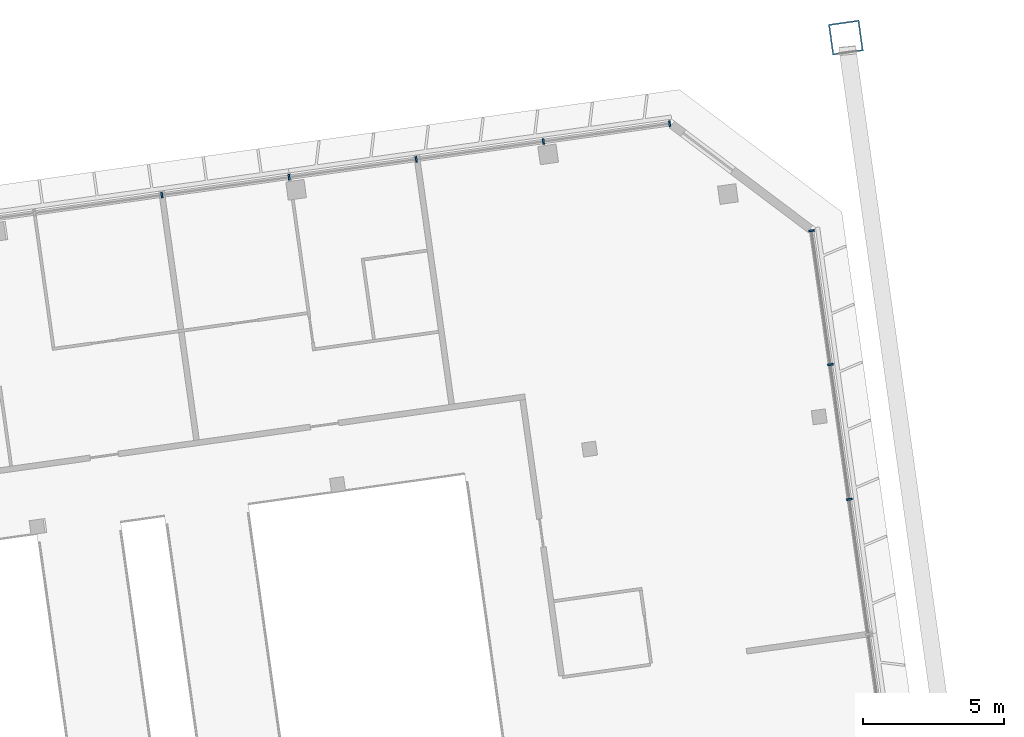
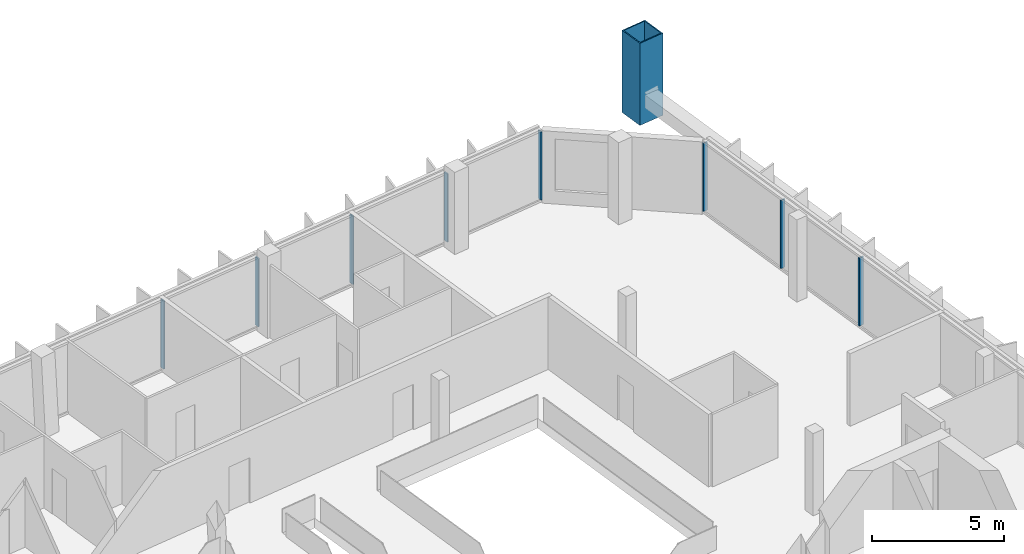
# One storey, part 13 of 26: 9 members, 2 elements without a shape of their own.
"""IFC4 building model written with IfcOpenShell, lengths in metres."""

from ifc_helpers import new_model, si_unit, direction, frame, origin, origin_2d, place, context, subcontext, project, spatial, rectangle, hollow_rectangle, extrude, material, material_profile, profile_set, type_object, element, aggregate, save


model = new_model("IFC4")

# Units and contexts
model_context = context("Model", 3, precision=1e-05, world=origin(), true_north=direction((0.0, 1.0)))
body_context = subcontext(model_context, "Body", "Model", "MODEL_VIEW")
ifc_project = project(units=[si_unit("LENGTHUNIT", "METRE"), si_unit("AREAUNIT", "SQUARE_METRE"), si_unit("VOLUMEUNIT", "CUBIC_METRE"), si_unit("PLANEANGLEUNIT", "RADIAN"), si_unit("MASSUNIT", "GRAM", prefix="KILO")], contexts=[model_context])

# Site, building, storey
site_placement = place(None, origin())
site = spatial("IfcSite", under=ifc_project, at=site_placement, CompositionType="ELEMENT")
building_placement = place(site_placement, origin())
building = spatial("IfcBuilding", under=site, at=building_placement, Name="Mirante Cascada Hotel Towers", CompositionType="ELEMENT")
storey_placement = place(building_placement, frame((0.0, 0.0, 216.6)))
storey = spatial("IfcBuildingStorey", under=building, at=storey_placement, Name="L51", CompositionType="ELEMENT", Elevation=216.6)

# Member
ifc_material_1 = material(Name="Steel ASTM A572 Gr 50", Category="steel")
ifc_material_profile_1 = material_profile(ifc_material_1, hollow_rectangle(XDim=1.1, YDim=1.1, WallThickness=0.05, at=origin_2d()), Name="Box post 1100x1100x50 ASTM A572 Gr 50")
ifc_profile_set_1 = profile_set([ifc_material_profile_1], Name="Steel ASTM A572 Gr 50")
member_type_1 = type_object("IfcMemberType", Name="Box post 1100x1100x50 ASTM A572 Gr 50", PredefinedType="POST", material=ifc_profile_set_1)
member_1_placement = place(storey_placement, frame((73.62, 25.3368, 0.0), z_axis=(0.0, 0.0, 1.0), x_axis=(0.9902681, 0.1391731, 0.0)))
element("IfcMember", 1, at=member_1_placement, inside=storey, type_object=member_type_1, Name="Mega column MP3 T2 L51", PredefinedType="POST", context=body_context, shape_type="SweptSolid", body=[
    extrude(hollow_rectangle(XDim=1.1, YDim=1.1, WallThickness=0.05, at=origin_2d()), origin(), (0.0, 0.0, 1.0), 3.8),
])

# Curtain wall, members
ifc_material_2 = material(Name="Aluminium mullion and transom frame with clear laminated glass", Category="aluminium")
curtain_wall_type_1 = type_object("IfcCurtainWallType", Name="Ribbon curtain wall ECW1", PredefinedType="NOTDEFINED", material=ifc_material_2)
curtain_wall_1_placement = place(storey_placement, origin())
curtain_wall_1 = element("IfcCurtainWall", 2, at=curtain_wall_1_placement, inside=storey, type_object=curtain_wall_type_1, Name="Front ribbon wall T2 L51", PredefinedType="NOTDEFINED")
ifc_material_3 = material(Name="Anodised aluminium extrusion", Category="aluminium")
ifc_material_profile_2 = material_profile(ifc_material_3, rectangle(XDim=0.2, YDim=0.065, at=origin_2d()), Name="ECW1 MULLION 65x200")
ifc_profile_set_2 = profile_set([ifc_material_profile_2], Name="Anodised aluminium extrusion")
member_type_2 = type_object("IfcMemberType", Name="ECW1 mullion 65x200", PredefinedType="MULLION", material=ifc_profile_set_2)
member_2_placement = place(storey_placement, frame((67.3887, 22.2899, 0.1), z_axis=(0.0, 0.0, 1.0), x_axis=(0.1391731, -0.9902681, 0.0)))
member_2 = element("IfcMember", 3, at=member_2_placement, type_object=member_type_2, Name="ECW1 mullion 1", PredefinedType="MULLION", context=body_context, shape_type="SweptSolid", body=[
    extrude(rectangle(XDim=0.2, YDim=0.065, at=origin_2d()), origin(), (0.0, 0.0, 1.0), 3.15),
])
member_3_placement = place(storey_placement, frame((62.9239, 21.6624, 0.1), z_axis=(0.0, 0.0, 1.0), x_axis=(0.1391731, -0.9902681, 0.0)))
member_3 = element("IfcMember", 4, at=member_3_placement, type_object=member_type_2, Name="ECW1 mullion 2", PredefinedType="MULLION", context=body_context, shape_type="SweptSolid", body=[
    extrude(rectangle(XDim=0.2, YDim=0.065, at=origin_2d()), origin(), (0.0, 0.0, 1.0), 3.15),
])
member_4_placement = place(storey_placement, frame((58.4268, 21.0304, 0.1), z_axis=(0.0, 0.0, 1.0), x_axis=(0.1391731, -0.9902681, 0.0)))
member_4 = element("IfcMember", 5, at=member_4_placement, type_object=member_type_2, Name="ECW1 mullion 3", PredefinedType="MULLION", context=body_context, shape_type="SweptSolid", body=[
    extrude(rectangle(XDim=0.2, YDim=0.065, at=origin_2d()), origin(), (0.0, 0.0, 1.0), 3.15),
])
member_5_placement = place(storey_placement, frame((53.9297, 20.3984, 0.1), z_axis=(0.0, 0.0, 1.0), x_axis=(0.1391731, -0.9902681, 0.0)))
member_5 = element("IfcMember", 6, at=member_5_placement, type_object=member_type_2, Name="ECW1 mullion 4", PredefinedType="MULLION", context=body_context, shape_type="SweptSolid", body=[
    extrude(rectangle(XDim=0.2, YDim=0.065, at=origin_2d()), origin(), (0.0, 0.0, 1.0), 3.15),
])
member_6_placement = place(storey_placement, frame((49.4327, 19.7663, 0.1), z_axis=(0.0, 0.0, 1.0), x_axis=(0.1391731, -0.9902681, 0.0)))
member_6 = element("IfcMember", 7, at=member_6_placement, type_object=member_type_2, Name="ECW1 mullion 5", PredefinedType="MULLION", context=body_context, shape_type="SweptSolid", body=[
    extrude(rectangle(XDim=0.2, YDim=0.065, at=origin_2d()), origin(), (0.0, 0.0, 1.0), 3.15),
])
aggregate(curtain_wall_1, [member_2, member_3, member_4, member_5, member_6])

ifc_material_4 = material(Name="Aluminium mullion and transom frame with clear laminated glass", Category="aluminium")
curtain_wall_type_2 = type_object("IfcCurtainWallType", Name="End ribbon curtain wall ECW2", PredefinedType="NOTDEFINED", material=ifc_material_4)
curtain_wall_2_placement = place(storey_placement, origin())
curtain_wall_2 = element("IfcCurtainWall", 8, at=curtain_wall_2_placement, inside=storey, type_object=curtain_wall_type_2, Name="Outer end wall T2 L51", PredefinedType="NOTDEFINED")
ifc_material_5 = material(Name="Anodised aluminium extrusion", Category="aluminium")
ifc_material_profile_3 = material_profile(ifc_material_5, rectangle(XDim=0.2, YDim=0.065, at=origin_2d()), Name="ECW2 MULLION 65x200")
ifc_profile_set_3 = profile_set([ifc_material_profile_3], Name="Anodised aluminium extrusion")
member_type_3 = type_object("IfcMemberType", Name="ECW2 mullion 65x200", PredefinedType="MULLION", material=ifc_profile_set_3)
member_7_placement = place(storey_placement, frame((73.7437, 9.0077, 0.1), z_axis=(0.0, 0.0, 1.0), x_axis=(-0.9902681, -0.1391731, 0.0)))
member_7 = element("IfcMember", 9, at=member_7_placement, type_object=member_type_3, Name="ECW2 mullion 5", PredefinedType="MULLION", context=body_context, shape_type="SweptSolid", body=[
    extrude(rectangle(XDim=0.2, YDim=0.065, at=origin_2d()), origin(), (0.0, 0.0, 1.0), 3.15),
])
member_8_placement = place(storey_placement, frame((73.0739, 13.7735, 0.1), z_axis=(0.0, 0.0, 1.0), x_axis=(-0.9902681, -0.1391731, 0.0)))
member_8 = element("IfcMember", 10, at=member_8_placement, type_object=member_type_3, Name="ECW2 mullion 6", PredefinedType="MULLION", context=body_context, shape_type="SweptSolid", body=[
    extrude(rectangle(XDim=0.2, YDim=0.065, at=origin_2d()), origin(), (0.0, 0.0, 1.0), 3.15),
])
member_9_placement = place(storey_placement, frame((72.4087, 18.5071, 0.1), z_axis=(0.0, 0.0, 1.0), x_axis=(-0.9902681, -0.1391731, 0.0)))
member_9 = element("IfcMember", 11, at=member_9_placement, type_object=member_type_3, Name="ECW2 mullion 7", PredefinedType="MULLION", context=body_context, shape_type="SweptSolid", body=[
    extrude(rectangle(XDim=0.2, YDim=0.065, at=origin_2d()), origin(), (0.0, 0.0, 1.0), 3.15),
])
aggregate(curtain_wall_2, [member_7, member_8, member_9])

save(model, "model.ifc")
